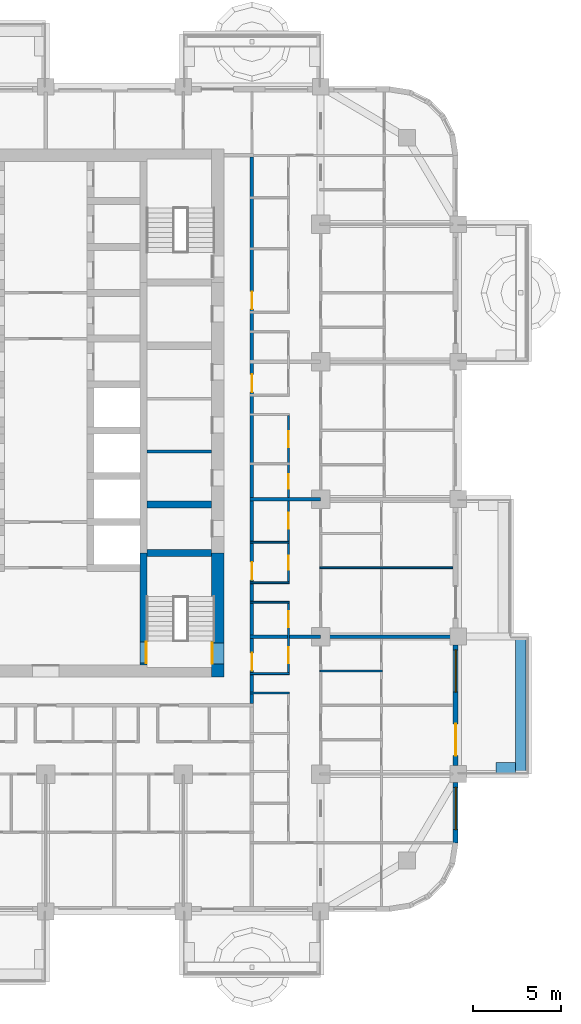
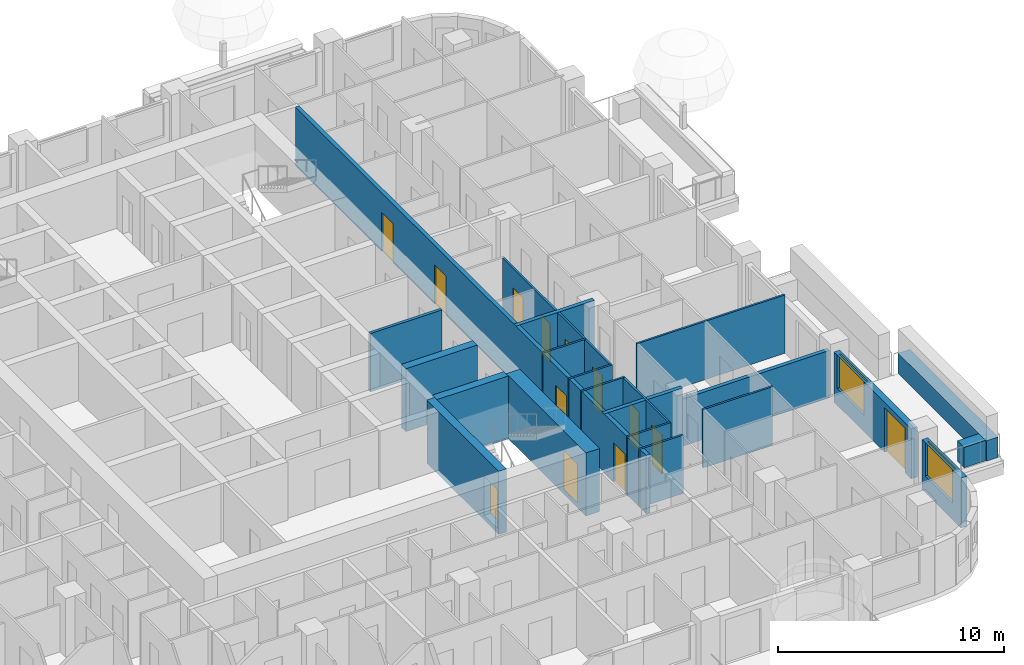
# One storey, part 8 of 19: 22 walls, 13 doors, 2 windows, 15 openings.
"""IFC4 building model written with IfcOpenShell, lengths in metres."""

from ifc_helpers import new_model, si_unit, direction, frame, frame_2d, origin, place, context, subcontext, project, spatial, rectangle, extrude, material, layer, layer_set, type_object, element, fill, save


model = new_model("IFC4")

# Units and contexts
model_context = context("Model", 3, precision=1e-05, world=origin(), true_north=direction((0.0, 1.0)))
body_context = subcontext(model_context, "Body", "Model", "MODEL_VIEW")
ifc_project = project(units=[si_unit("LENGTHUNIT", "METRE"), si_unit("AREAUNIT", "SQUARE_METRE"), si_unit("VOLUMEUNIT", "CUBIC_METRE"), si_unit("PLANEANGLEUNIT", "RADIAN"), si_unit("MASSUNIT", "GRAM", prefix="KILO")], contexts=[model_context])

# Site, building, storey
site_placement = place(None, origin())
site = spatial("IfcSite", under=ifc_project, at=site_placement, CompositionType="ELEMENT")
building_placement = place(site_placement, origin())
building = spatial("IfcBuilding", under=site, at=building_placement, Name="Ludao Terraces", CompositionType="ELEMENT")
storey_placement = place(building_placement, frame((0.0, 0.0, 68.199951171875)))
storey = spatial("IfcBuildingStorey", under=building, at=storey_placement, Name="L18", CompositionType="ELEMENT", Elevation=68.199951171875)

# Wall, opening, door
ifc_material_1 = material(Name="Concrete C70", Category="concrete")
ifc_layer_1 = layer(ifc_material_1, 0.699951171875)
ifc_layer_set_1 = layer_set([ifc_layer_1], Name="Core wall 700 C70")
wall_type_1 = type_object("IfcWallType", Name="Core wall 700 C70", PredefinedType="SOLIDWALL", material=ifc_layer_set_1)
wall_1_placement = place(storey_placement, frame((94.75, 54.89990234375, -0.25), z_axis=(0.0, 0.0, 1.0), x_axis=(0.0, 1.0, 0.0)))
wall_1 = element("IfcWall", 1, at=wall_1_placement, inside=storey, type_object=wall_type_1, Name="Core wall L18 outer-E-S3", PredefinedType="SOLIDWALL", context=body_context, shape_type="SweptSolid", body=[
    extrude(rectangle(XDim=7.050048828125, YDim=0.699951171875, at=frame_2d((3.52490234375, 0.0))), origin(), (0.0, 0.0, 1.0), 3.400146484375),
])
opening_1_placement = place(wall_1_placement, frame((0.75, 0.0, 0.25)))
opening_1 = element("IfcOpeningElement", 2, at=opening_1_placement, cuts=wall_1, Name="Opening R05-062", PredefinedType="OPENING", context=body_context, shape_type="SweptSolid", body=[
    extrude(rectangle(XDim=1.199951171875, YDim=2.10009765625, at=frame_2d((0.60009765625, 1.050048828125))), frame((0.0, 0.35986328125, 0.0), z_axis=(0.0, -1.0, 0.0), x_axis=(1.0, 0.0, 0.0)), (0.0, 0.0, 1.0), 0.719970703125),
])
ifc_material_2 = material(Name="Steel Q235", Category="steel")
door_type_1 = type_object("IfcDoorType", Name="INT Stair door 1200", OperationType="DOUBLE_DOOR_SINGLE_SWING", PredefinedType="DOOR", material=ifc_material_2)
door_1_placement = place(opening_1_placement, origin())
door_1 = element("IfcDoor", 3, at=door_1_placement, inside=storey, type_object=door_type_1, Name="DOOR 062", OperationType="DOUBLE_DOOR_SINGLE_SWING", OverallHeight=2.10009765625, OverallWidth=1.199951171875, PredefinedType="DOOR", context=body_context, shape_type="SweptSolid", body=[
    extrude(rectangle(XDim=1.199951171875, YDim=2.10009765625, at=frame_2d((0.60009765625, 1.050048828125))), frame((0.0, 0.3349609375, 0.0), z_axis=(0.0, -1.0, 0.0), x_axis=(1.0, 0.0, 0.0)), (0.0, 0.0, 1.0), 0.050048828125),
])
fill(opening_1, door_1)

# Walls
ifc_material_3 = material(Name="Concrete C40", Category="concrete")
ifc_layer_2 = layer(ifc_material_3, 0.60009765625)
ifc_layer_set_2 = layer_set([ifc_layer_2], Name="ENV Planter trough 600")
wall_type_2 = type_object("IfcWallType", Name="ENV Planter trough 600", PredefinedType="USERDEFINED", material=ifc_layer_set_2)
wall_2_placement = place(storey_placement, frame((111.949951171875, 49.39990234375, 0.0), z_axis=(0.0, 0.0, 1.0), x_axis=(0.0, 1.0, 0.0)))
element("IfcWall", 4, at=wall_2_placement, inside=storey, type_object=wall_type_2, Name="PL-L18-E1", ObjectType="PLANTER", PredefinedType="USERDEFINED", context=body_context, shape_type="SweptSolid", body=[
    extrude(rectangle(XDim=7.800048828125, YDim=0.60009765625, at=frame_2d((3.89990234375, 0.0))), origin(), (0.0, 0.0, 1.0), 1.10009765625),
])
wall_3_placement = place(storey_placement, frame((111.64990234375, 49.75, 0.0), z_axis=(0.0, 0.0, 1.0), x_axis=(-1.0, 0.0, 0.0)))
element("IfcWall", 5, at=wall_3_placement, inside=storey, type_object=wall_type_2, Name="PL-L18-E1-SA", ObjectType="PLANTER", PredefinedType="USERDEFINED", context=body_context, shape_type="SweptSolid", body=[
    extrude(rectangle(XDim=1.099853515625, YDim=0.60009765625, at=frame_2d((0.5498046875, 0.0))), origin(), (0.0, 0.0, 1.0), 1.10009765625),
])

# Wall, opening, window
ifc_material_4 = material(Name="Granite cladding", Category="masonry")
ifc_layer_3 = layer(ifc_material_4, 0.0400390625, Category="stone")
ifc_material_5 = material(Name="Mineral wool")
ifc_layer_4 = layer(ifc_material_5, 0.06005859375)
ifc_layer_5 = layer(ifc_material_3, 0.199951171875, Category="concrete")
ifc_layer_set_3 = layer_set([ifc_layer_3, ifc_layer_4, ifc_layer_5], Name="ENV Stone-clad wall 300")
wall_type_3 = type_object("IfcWallType", Name="ENV Stone-clad wall 300", PredefinedType="SOLIDWALL", material=ifc_layer_set_3)
wall_4_placement = place(storey_placement, frame((108.25, 45.5, 0.0), z_axis=(0.0, 0.0, 1.0), x_axis=(0.0, 1.0, 0.0)))
wall_4 = element("IfcWall", 6, at=wall_4_placement, inside=storey, type_object=wall_type_3, Name="EW-L18-E1", PredefinedType="SOLIDWALL", context=body_context, shape_type="SweptSolid", body=[
    extrude(rectangle(XDim=3.425048828125, YDim=0.300048828125, at=frame_2d((1.71240234375, 0.0))), origin(), (0.0, 0.0, 1.0), 2.699951171875),
])
opening_2_placement = place(wall_4_placement, frame((0.75, 0.0, 0.89990234375)))
opening_2 = element("IfcOpeningElement", 7, at=opening_2_placement, cuts=wall_4, Name="Opening W1", PredefinedType="OPENING", context=body_context, shape_type="SweptSolid", body=[
    extrude(rectangle(XDim=2.39990234375, YDim=1.800048828125, at=frame_2d((1.199951171875, 0.89990234375))), frame((0.0, 0.16015625, 0.0), z_axis=(0.0, -1.0, 0.0), x_axis=(1.0, 0.0, 0.0)), (0.0, 0.0, 1.0), 0.320068359375),
])
ifc_material_6 = material(Name="Clear glass in aluminium frame", Category="aluminium")
ifc_layer_6 = layer(ifc_material_6, 0.06005859375)
ifc_layer_set_4 = layer_set([ifc_layer_6], Name="ENV Window W1 2400x1800")
window_type = type_object("IfcWindowType", Name="ENV Window W1 2400x1800", PartitioningType="DOUBLE_PANEL_VERTICAL", PredefinedType="WINDOW", material=ifc_layer_set_4)
window_1_placement = place(opening_2_placement, origin())
window_1 = element("IfcWindow", 8, at=window_1_placement, inside=storey, type_object=window_type, Name="W-L18-E1-1", OverallHeight=1.800048828125, OverallWidth=2.39990234375, PartitioningType="DOUBLE_PANEL_VERTICAL", PredefinedType="WINDOW", context=body_context, shape_type="SweptSolid", body=[
    extrude(rectangle(XDim=2.39990234375, YDim=1.800048828125, at=frame_2d((1.199951171875, 0.89990234375))), frame((0.0, 0.030029296875, 0.0), z_axis=(0.0, -1.0, 0.0), x_axis=(1.0, 0.0, 0.0)), (0.0, 0.0, 1.0), 0.06005859375),
])
fill(opening_2, window_1)

# Wall, openings, door, window
wall_5_placement = place(storey_placement, frame((108.25, 49.875, 0.0), z_axis=(0.0, 0.0, 1.0), x_axis=(0.0, 1.0, 0.0)))
wall_5 = element("IfcWall", 9, at=wall_5_placement, inside=storey, type_object=wall_type_3, Name="EW-L18-E2", PredefinedType="SOLIDWALL", context=body_context, shape_type="SweptSolid", body=[
    extrude(rectangle(XDim=6.85009765625, YDim=0.300048828125, at=frame_2d((3.425048828125, 0.0))), origin(), (0.0, 0.0, 1.0), 2.699951171875),
])
opening_3_placement = place(wall_5_placement, frame((0.574951171875, 0.0, 0.0)))
opening_3 = element("IfcOpeningElement", 10, at=opening_3_placement, cuts=wall_5, Name="Opening BD", PredefinedType="OPENING", context=body_context, shape_type="SweptSolid", body=[
    extrude(rectangle(XDim=1.800048828125, YDim=2.39990234375, at=frame_2d((0.89990234375, 1.199951171875))), frame((0.0, 0.16015625, 0.0), z_axis=(0.0, -1.0, 0.0), x_axis=(1.0, 0.0, 0.0)), (0.0, 0.0, 1.0), 0.320068359375),
])
opening_4_placement = place(wall_5_placement, frame((4.175048828125, 0.0, 0.89990234375)))
opening_4 = element("IfcOpeningElement", 11, at=opening_4_placement, cuts=wall_5, Name="Opening W1", PredefinedType="OPENING", context=body_context, shape_type="SweptSolid", body=[
    extrude(rectangle(XDim=2.39990234375, YDim=1.800048828125, at=frame_2d((1.199951171875, 0.89990234375))), frame((0.0, 0.16015625, 0.0), z_axis=(0.0, -1.0, 0.0), x_axis=(1.0, 0.0, 0.0)), (0.0, 0.0, 1.0), 0.320068359375),
])
ifc_material_7 = material(Name="Aluminium glazed door", Category="aluminium")
ifc_layer_7 = layer(ifc_material_7, 0.06005859375)
ifc_layer_set_5 = layer_set([ifc_layer_7], Name="ENV Balcony door BD 1800x2400")
door_type_2 = type_object("IfcDoorType", Name="ENV Balcony door BD 1800x2400", OperationType="DOUBLE_DOOR_SINGLE_SWING", PredefinedType="DOOR", material=ifc_layer_set_5)
door_2_placement = place(opening_3_placement, origin())
door_2 = element("IfcDoor", 12, at=door_2_placement, inside=storey, type_object=door_type_2, Name="BD-L18-E2-1", OperationType="DOUBLE_DOOR_SINGLE_SWING", OverallHeight=2.39990234375, OverallWidth=1.800048828125, PredefinedType="DOOR", context=body_context, shape_type="SweptSolid", body=[
    extrude(rectangle(XDim=1.800048828125, YDim=2.39990234375, at=frame_2d((0.89990234375, 1.199951171875))), frame((0.0, 0.02490234375, 0.0), z_axis=(0.0, -1.0, 0.0), x_axis=(1.0, 0.0, 0.0)), (0.0, 0.0, 1.0), 0.050048828125),
])
fill(opening_3, door_2)
window_2_placement = place(opening_4_placement, origin())
window_2 = element("IfcWindow", 13, at=window_2_placement, inside=storey, type_object=window_type, Name="W-L18-E2-2", OverallHeight=1.800048828125, OverallWidth=2.39990234375, PartitioningType="DOUBLE_PANEL_VERTICAL", PredefinedType="WINDOW", context=body_context, shape_type="SweptSolid", body=[
    extrude(rectangle(XDim=2.39990234375, YDim=1.800048828125, at=frame_2d((1.199951171875, 0.89990234375))), frame((0.0, 0.030029296875, 0.0), z_axis=(0.0, -1.0, 0.0), x_axis=(1.0, 0.0, 0.0)), (0.0, 0.0, 1.0), 0.06005859375),
])
fill(opening_4, window_2)

# Wall
ifc_material_8 = material(Name="Fire-rated gypsum plasterboard", Category="gypsum")
ifc_layer_8 = layer(ifc_material_8, 0.012451171875, Category="gypsum")
ifc_layer_9 = layer(ifc_material_5, 0.10009765625, Name="insulation")
ifc_layer_10 = layer(ifc_material_2, 0.02490234375, Name="stud")
ifc_layer_11 = layer(ifc_material_8, 0.012451171875, Category="gypsum")
ifc_layer_set_6 = layer_set([ifc_layer_8, ifc_layer_9, ifc_layer_10, ifc_layer_11], Name="INT Core partition 150")
wall_type_4 = type_object("IfcWallType", Name="INT Core partition 150", PredefinedType="PARTITIONING", material=ifc_layer_set_6)
wall_6_placement = place(storey_placement, frame((90.75, 67.699951171875, 0.0), z_axis=(0.0, 0.0, 1.0), x_axis=(1.0, 0.0, 0.0)))
element("IfcWall", 14, at=wall_6_placement, inside=storey, type_object=wall_type_4, Name="PW-L18-PW048", PredefinedType="PARTITIONING", context=body_context, shape_type="SweptSolid", body=[
    extrude(rectangle(XDim=3.650146484375, YDim=0.14990234375, at=frame_2d((1.8251953125, 0.0))), origin(), (0.0, 0.0, 1.0), 3.150146484375),
])

# Wall, openings, doors
ifc_material_9 = material(Name="Autoclaved aerated concrete block B06 A3.5", Category="concrete")
ifc_layer_12 = layer(ifc_material_9, 0.199951171875)
ifc_layer_set_7 = layer_set([ifc_layer_12], Name="INT Entrance wall 200")
wall_type_5 = type_object("IfcWallType", Name="INT Entrance wall 200", PredefinedType="PARTITIONING", material=ifc_layer_set_7)
wall_7_placement = place(storey_placement, frame((96.699951171875, 53.400146484375, 0.0), z_axis=(0.0, 0.0, 1.0), x_axis=(0.0, 1.0, 0.0)))
wall_7 = element("IfcWall", 15, at=wall_7_placement, inside=storey, type_object=wall_type_5, Name="PW-L18-PW118", PredefinedType="PARTITIONING", context=body_context, shape_type="SweptSolid", body=[
    extrude(rectangle(XDim=31.0, YDim=0.199951171875, at=frame_2d((15.5, 0.0))), origin(), (0.0, 0.0, 1.0), 3.150146484375),
])
opening_5_placement = place(wall_7_placement, frame((1.875, 0.0, 0.0)))
opening_5 = element("IfcOpeningElement", 16, at=opening_5_placement, cuts=wall_7, Name="Opening R05-055", PredefinedType="OPENING", context=body_context, shape_type="SweptSolid", body=[
    extrude(rectangle(XDim=1.0, YDim=2.10009765625, at=frame_2d((0.5, 1.050048828125))), frame((0.0, 0.10986328125, 0.0), z_axis=(0.0, -1.0, 0.0), x_axis=(1.0, 0.0, 0.0)), (0.0, 0.0, 1.0), 0.219970703125),
])
opening_6_placement = place(wall_7_placement, frame((7.02490234375, 0.0, 0.0)))
opening_6 = element("IfcOpeningElement", 17, at=opening_6_placement, cuts=wall_7, Name="Opening R05-072", PredefinedType="OPENING", context=body_context, shape_type="SweptSolid", body=[
    extrude(rectangle(XDim=1.0, YDim=2.10009765625, at=frame_2d((0.5, 1.050048828125))), frame((0.0, 0.10986328125, 0.0), z_axis=(0.0, -1.0, 0.0), x_axis=(1.0, 0.0, 0.0)), (0.0, 0.0, 1.0), 0.219970703125),
])
opening_7_placement = place(wall_7_placement, frame((17.675048828125, 0.0, 0.0)))
opening_7 = element("IfcOpeningElement", 18, at=opening_7_placement, cuts=wall_7, Name="Opening R05-108", PredefinedType="OPENING", context=body_context, shape_type="SweptSolid", body=[
    extrude(rectangle(XDim=1.0, YDim=2.10009765625, at=frame_2d((0.5, 1.050048828125))), frame((0.0, 0.10986328125, 0.0), z_axis=(0.0, -1.0, 0.0), x_axis=(1.0, 0.0, 0.0)), (0.0, 0.0, 1.0), 0.219970703125),
])
opening_8_placement = place(wall_7_placement, frame((22.375, 0.0, 0.0)))
opening_8 = element("IfcOpeningElement", 19, at=opening_8_placement, cuts=wall_7, Name="Opening R05-129", PredefinedType="OPENING", context=body_context, shape_type="SweptSolid", body=[
    extrude(rectangle(XDim=1.0, YDim=2.10009765625, at=frame_2d((0.5, 1.050048828125))), frame((0.0, 0.10986328125, 0.0), z_axis=(0.0, -1.0, 0.0), x_axis=(1.0, 0.0, 0.0)), (0.0, 0.0, 1.0), 0.219970703125),
])
door_type_3 = type_object("IfcDoorType", Name="INT Flat entrance door 1000", OperationType="SINGLE_SWING_LEFT", PredefinedType="DOOR", material=ifc_material_2)
door_3_placement = place(opening_5_placement, origin())
door_3 = element("IfcDoor", 20, at=door_3_placement, inside=storey, type_object=door_type_3, Name="DOOR 055", OperationType="SINGLE_SWING_LEFT", OverallHeight=2.10009765625, OverallWidth=1.0, PredefinedType="DOOR", context=body_context, shape_type="SweptSolid", body=[
    extrude(rectangle(XDim=1.0, YDim=2.10009765625, at=frame_2d((0.5, 1.050048828125))), frame((0.0, 0.02490234375, 0.0), z_axis=(0.0, -1.0, 0.0), x_axis=(1.0, 0.0, 0.0)), (0.0, 0.0, 1.0), 0.050048828125),
])
fill(opening_5, door_3)
door_4_placement = place(opening_6_placement, origin())
door_4 = element("IfcDoor", 21, at=door_4_placement, inside=storey, type_object=door_type_3, Name="DOOR 072", OperationType="SINGLE_SWING_LEFT", OverallHeight=2.10009765625, OverallWidth=1.0, PredefinedType="DOOR", context=body_context, shape_type="SweptSolid", body=[
    extrude(rectangle(XDim=1.0, YDim=2.10009765625, at=frame_2d((0.5, 1.050048828125))), frame((0.0, 0.02490234375, 0.0), z_axis=(0.0, -1.0, 0.0), x_axis=(1.0, 0.0, 0.0)), (0.0, 0.0, 1.0), 0.050048828125),
])
fill(opening_6, door_4)
door_5_placement = place(opening_7_placement, origin())
door_5 = element("IfcDoor", 22, at=door_5_placement, inside=storey, type_object=door_type_3, Name="DOOR 108", OperationType="SINGLE_SWING_LEFT", OverallHeight=2.10009765625, OverallWidth=1.0, PredefinedType="DOOR", context=body_context, shape_type="SweptSolid", body=[
    extrude(rectangle(XDim=1.0, YDim=2.10009765625, at=frame_2d((0.5, 1.050048828125))), frame((0.0, 0.02490234375, 0.0), z_axis=(0.0, -1.0, 0.0), x_axis=(1.0, 0.0, 0.0)), (0.0, 0.0, 1.0), 0.050048828125),
])
fill(opening_7, door_5)
door_6_placement = place(opening_8_placement, origin())
door_6 = element("IfcDoor", 23, at=door_6_placement, inside=storey, type_object=door_type_3, Name="DOOR 129", OperationType="SINGLE_SWING_LEFT", OverallHeight=2.10009765625, OverallWidth=1.0, PredefinedType="DOOR", context=body_context, shape_type="SweptSolid", body=[
    extrude(rectangle(XDim=1.0, YDim=2.10009765625, at=frame_2d((0.5, 1.050048828125))), frame((0.0, 0.02490234375, 0.0), z_axis=(0.0, -1.0, 0.0), x_axis=(1.0, 0.0, 0.0)), (0.0, 0.0, 1.0), 0.050048828125),
])
fill(opening_8, door_6)

# Walls
ifc_material_10 = material(Name="Gypsum plasterboard", Category="gypsum")
ifc_layer_13 = layer(ifc_material_10, 0.012451171875, Category="gypsum")
ifc_layer_14 = layer(ifc_material_5, 0.06005859375, Name="insulation")
ifc_layer_15 = layer(ifc_material_2, 0.014892578125, Name="stud")
ifc_layer_16 = layer(ifc_material_10, 0.012451171875, Category="gypsum")
ifc_layer_set_8 = layer_set([ifc_layer_13, ifc_layer_14, ifc_layer_15, ifc_layer_16], Name="INT Partition 100")
wall_type_6 = type_object("IfcWallType", Name="INT Partition 100", PredefinedType="PARTITIONING", material=ifc_layer_set_8)
for number, where, z_axis, x_axis, name in (
    (24, (96.60009765625, 54.0, 0.0), (0.0, 0.0, 1.0), (1.0, 0.0, 0.0), "PW-L18-PW021"),
    (25, (96.60009765625, 55.10009765625, 0.0), (0.0, 0.0, 1.0), (1.0, 0.0, 0.0), "PW-L18-PW023"),
):
    element("IfcWall", number, at=place(storey_placement, frame(where, z_axis=z_axis, x_axis=x_axis)), inside=storey, type_object=wall_type_6, Name=name, PredefinedType="PARTITIONING", context=body_context, shape_type="SweptSolid", body=[
        extrude(rectangle(XDim=2.219970703125, YDim=0.10009765625, at=frame_2d((1.10986328125, 0.0))), origin(), (0.0, 0.0, 1.0), 3.150146484375),
    ])
wall_8_placement = place(storey_placement, frame((100.550048828125, 55.25, 0.0), z_axis=(0.0, 0.0, 1.0), x_axis=(1.0, 0.0, 0.0)))
element("IfcWall", 26, at=wall_8_placement, inside=storey, type_object=wall_type_6, Name="PW-L18-PW025", PredefinedType="PARTITIONING", context=body_context, shape_type="SweptSolid", body=[
    extrude(rectangle(XDim=3.550048828125, YDim=0.10009765625, at=frame_2d((1.77490234375, 0.0))), origin(), (0.0, 0.0, 1.0), 3.150146484375),
])
for number, where, z_axis, x_axis, name in (
    (27, (96.60009765625, 59.14990234375, 0.0), (0.0, 0.0, 1.0), (1.0, 0.0, 0.0), "PW-L18-PW031"),
    (28, (96.60009765625, 60.25, 0.0), (0.0, 0.0, 1.0), (1.0, 0.0, 0.0), "PW-L18-PW032"),
):
    element("IfcWall", number, at=place(storey_placement, frame(where, z_axis=z_axis, x_axis=x_axis)), inside=storey, type_object=wall_type_6, Name=name, PredefinedType="PARTITIONING", context=body_context, shape_type="SweptSolid", body=[
        extrude(rectangle(XDim=2.219970703125, YDim=0.10009765625, at=frame_2d((1.10986328125, 0.0))), origin(), (0.0, 0.0, 1.0), 3.150146484375),
    ])
wall_9_placement = place(storey_placement, frame((100.550048828125, 61.10009765625, 0.0), z_axis=(0.0, 0.0, 1.0), x_axis=(1.0, 0.0, 0.0)))
element("IfcWall", 29, at=wall_9_placement, inside=storey, type_object=wall_type_6, Name="PW-L18-PW035", PredefinedType="PARTITIONING", context=body_context, shape_type="SweptSolid", body=[
    extrude(rectangle(XDim=7.550048828125, YDim=0.10009765625, at=frame_2d((3.77490234375, 0.0))), origin(), (0.0, 0.0, 1.0), 3.150146484375),
])
wall_10_placement = place(storey_placement, frame((96.60009765625, 62.550048828125, 0.0), z_axis=(0.0, 0.0, 1.0), x_axis=(1.0, 0.0, 0.0)))
element("IfcWall", 30, at=wall_10_placement, inside=storey, type_object=wall_type_6, Name="PW-L18-PW036", PredefinedType="PARTITIONING", context=body_context, shape_type="SweptSolid", body=[
    extrude(rectangle(XDim=2.219970703125, YDim=0.10009765625, at=frame_2d((1.10986328125, 0.0))), origin(), (0.0, 0.0, 1.0), 3.150146484375),
])

# Wall, openings, doors
wall_11_placement = place(storey_placement, frame((98.77001953125, 55.150146484375, 0.0), z_axis=(0.0, 0.0, 1.0), x_axis=(0.0, 1.0, 0.0)))
wall_11 = element("IfcWall", 31, at=wall_11_placement, inside=storey, type_object=wall_type_6, Name="PW-L18-PW121", PredefinedType="PARTITIONING", context=body_context, shape_type="SweptSolid", body=[
    extrude(rectangle(XDim=3.949951171875, YDim=0.10009765625, at=frame_2d((1.97509765625, 0.0))), origin(), (0.0, 0.0, 1.0), 3.150146484375),
])
opening_9_placement = place(wall_11_placement, frame((0.550048828125, 0.0, 0.0)))
opening_9 = element("IfcOpeningElement", 32, at=opening_9_placement, cuts=wall_11, Name="Opening R05-059", PredefinedType="OPENING", context=body_context, shape_type="SweptSolid", body=[
    extrude(rectangle(XDim=0.89990234375, YDim=2.10009765625, at=frame_2d((0.449951171875, 1.050048828125))), frame((0.0, 0.06005859375, 0.0), z_axis=(0.0, -1.0, 0.0), x_axis=(1.0, 0.0, 0.0)), (0.0, 0.0, 1.0), 0.1201171875),
])
opening_10_placement = place(wall_11_placement, frame((2.574951171875, 0.0, 0.0)))
opening_10 = element("IfcOpeningElement", 33, at=opening_10_placement, cuts=wall_11, Name="Opening R05-066", PredefinedType="OPENING", context=body_context, shape_type="SweptSolid", body=[
    extrude(rectangle(XDim=0.89990234375, YDim=2.10009765625, at=frame_2d((0.449951171875, 1.050048828125))), frame((0.0, 0.06005859375, 0.0), z_axis=(0.0, -1.0, 0.0), x_axis=(1.0, 0.0, 0.0)), (0.0, 0.0, 1.0), 0.1201171875),
])
ifc_material_11 = material(Name="Timber door leaf", Category="wood")
door_type_4 = type_object("IfcDoorType", Name="INT Room door 900", OperationType="SINGLE_SWING_LEFT", PredefinedType="DOOR", material=ifc_material_11)
door_7_placement = place(opening_9_placement, origin())
door_7 = element("IfcDoor", 34, at=door_7_placement, inside=storey, type_object=door_type_4, Name="DOOR 059", OperationType="SINGLE_SWING_LEFT", OverallHeight=2.10009765625, OverallWidth=0.89990234375, PredefinedType="DOOR", context=body_context, shape_type="SweptSolid", body=[
    extrude(rectangle(XDim=0.89990234375, YDim=2.10009765625, at=frame_2d((0.449951171875, 1.050048828125))), frame((0.0, 0.02490234375, 0.0), z_axis=(0.0, -1.0, 0.0), x_axis=(1.0, 0.0, 0.0)), (0.0, 0.0, 1.0), 0.050048828125),
])
fill(opening_9, door_7)
door_8_placement = place(opening_10_placement, origin())
door_8 = element("IfcDoor", 35, at=door_8_placement, inside=storey, type_object=door_type_4, Name="DOOR 066", OperationType="SINGLE_SWING_LEFT", OverallHeight=2.10009765625, OverallWidth=0.89990234375, PredefinedType="DOOR", context=body_context, shape_type="SweptSolid", body=[
    extrude(rectangle(XDim=0.89990234375, YDim=2.10009765625, at=frame_2d((0.449951171875, 1.050048828125))), frame((0.0, 0.02490234375, 0.0), z_axis=(0.0, -1.0, 0.0), x_axis=(1.0, 0.0, 0.0)), (0.0, 0.0, 1.0), 0.050048828125),
])
fill(opening_10, door_8)

wall_12_placement = place(storey_placement, frame((98.77001953125, 60.300048828125, 0.0), z_axis=(0.0, 0.0, 1.0), x_axis=(0.0, 1.0, 0.0)))
wall_12 = element("IfcWall", 36, at=wall_12_placement, inside=storey, type_object=wall_type_6, Name="PW-L18-PW122", PredefinedType="PARTITIONING", context=body_context, shape_type="SweptSolid", body=[
    extrude(rectangle(XDim=9.449951171875, YDim=0.10009765625, at=frame_2d((4.72509765625, 0.0))), origin(), (0.0, 0.0, 1.0), 3.150146484375),
])
opening_11_placement = place(wall_12_placement, frame((0.699951171875, 0.0, 0.0)))
opening_11 = element("IfcOpeningElement", 37, at=opening_11_placement, cuts=wall_12, Name="Opening R05-074", PredefinedType="OPENING", context=body_context, shape_type="SweptSolid", body=[
    extrude(rectangle(XDim=0.800048828125, YDim=2.10009765625, at=frame_2d((0.39990234375, 1.050048828125))), frame((0.0, 0.06005859375, 0.0), z_axis=(0.0, -1.0, 0.0), x_axis=(1.0, 0.0, 0.0)), (0.0, 0.0, 1.0), 0.1201171875),
])
opening_12_placement = place(wall_12_placement, frame((3.02490234375, 0.0, 0.0)))
opening_12 = element("IfcOpeningElement", 38, at=opening_12_placement, cuts=wall_12, Name="Opening R05-082", PredefinedType="OPENING", context=body_context, shape_type="SweptSolid", body=[
    extrude(rectangle(XDim=0.89990234375, YDim=2.10009765625, at=frame_2d((0.449951171875, 1.050048828125))), frame((0.0, 0.06005859375, 0.0), z_axis=(0.0, -1.0, 0.0), x_axis=(1.0, 0.0, 0.0)), (0.0, 0.0, 1.0), 0.1201171875),
])
opening_13_placement = place(wall_12_placement, frame((5.300048828125, 0.0, 0.0)))
opening_13 = element("IfcOpeningElement", 39, at=opening_13_placement, cuts=wall_12, Name="Opening R05-091", PredefinedType="OPENING", context=body_context, shape_type="SweptSolid", body=[
    extrude(rectangle(XDim=0.800048828125, YDim=2.10009765625, at=frame_2d((0.39990234375, 1.050048828125))), frame((0.0, 0.06005859375, 0.0), z_axis=(0.0, -1.0, 0.0), x_axis=(1.0, 0.0, 0.0)), (0.0, 0.0, 1.0), 0.1201171875),
])
opening_14_placement = place(wall_12_placement, frame((7.64990234375, 0.0, 0.0)))
opening_14 = element("IfcOpeningElement", 40, at=opening_14_placement, cuts=wall_12, Name="Opening R05-100", PredefinedType="OPENING", context=body_context, shape_type="SweptSolid", body=[
    extrude(rectangle(XDim=0.89990234375, YDim=2.10009765625, at=frame_2d((0.449951171875, 1.050048828125))), frame((0.0, 0.06005859375, 0.0), z_axis=(0.0, -1.0, 0.0), x_axis=(1.0, 0.0, 0.0)), (0.0, 0.0, 1.0), 0.1201171875),
])
door_type_5 = type_object("IfcDoorType", Name="INT Bathroom door 900", OperationType="SINGLE_SWING_LEFT", PredefinedType="DOOR", material=ifc_material_11)
door_9_placement = place(opening_12_placement, origin())
door_9 = element("IfcDoor", 41, at=door_9_placement, inside=storey, type_object=door_type_5, Name="DOOR 082", OperationType="SINGLE_SWING_RIGHT", OverallHeight=2.10009765625, OverallWidth=0.89990234375, PredefinedType="DOOR", context=body_context, shape_type="SweptSolid", body=[
    extrude(rectangle(XDim=0.89990234375, YDim=2.10009765625, at=frame_2d((0.449951171875, 1.050048828125))), frame((0.0, 0.02490234375, 0.0), z_axis=(0.0, -1.0, 0.0), x_axis=(1.0, 0.0, 0.0)), (0.0, 0.0, 1.0), 0.050048828125),
])
fill(opening_12, door_9)
door_10_placement = place(opening_14_placement, origin())
door_10 = element("IfcDoor", 42, at=door_10_placement, inside=storey, type_object=door_type_4, Name="DOOR 100", OperationType="SINGLE_SWING_RIGHT", OverallHeight=2.10009765625, OverallWidth=0.89990234375, PredefinedType="DOOR", context=body_context, shape_type="SweptSolid", body=[
    extrude(rectangle(XDim=0.89990234375, YDim=2.10009765625, at=frame_2d((0.449951171875, 1.050048828125))), frame((0.0, 0.02490234375, 0.0), z_axis=(0.0, -1.0, 0.0), x_axis=(1.0, 0.0, 0.0)), (0.0, 0.0, 1.0), 0.050048828125),
])
fill(opening_14, door_10)
door_type_6 = type_object("IfcDoorType", Name="INT Store door 800", OperationType="SINGLE_SWING_LEFT", PredefinedType="DOOR", material=ifc_material_11)
door_11_placement = place(opening_11_placement, origin())
door_11 = element("IfcDoor", 43, at=door_11_placement, inside=storey, type_object=door_type_6, Name="DOOR 074", OperationType="SINGLE_SWING_LEFT", OverallHeight=2.10009765625, OverallWidth=0.800048828125, PredefinedType="DOOR", context=body_context, shape_type="SweptSolid", body=[
    extrude(rectangle(XDim=0.800048828125, YDim=2.10009765625, at=frame_2d((0.39990234375, 1.050048828125))), frame((0.0, 0.02490234375, 0.0), z_axis=(0.0, -1.0, 0.0), x_axis=(1.0, 0.0, 0.0)), (0.0, 0.0, 1.0), 0.050048828125),
])
fill(opening_11, door_11)
door_12_placement = place(opening_13_placement, origin())
door_12 = element("IfcDoor", 44, at=door_12_placement, inside=storey, type_object=door_type_6, Name="DOOR 091", OperationType="SINGLE_SWING_LEFT", OverallHeight=2.10009765625, OverallWidth=0.800048828125, PredefinedType="DOOR", context=body_context, shape_type="SweptSolid", body=[
    extrude(rectangle(XDim=0.800048828125, YDim=2.10009765625, at=frame_2d((0.39990234375, 1.050048828125))), frame((0.0, 0.02490234375, 0.0), z_axis=(0.0, -1.0, 0.0), x_axis=(1.0, 0.0, 0.0)), (0.0, 0.0, 1.0), 0.050048828125),
])
fill(opening_13, door_12)

# Walls
ifc_layer_17 = layer(ifc_material_9, 0.199951171875)
ifc_layer_set_9 = layer_set([ifc_layer_17], Name="INT Party wall 200")
wall_type_7 = type_object("IfcWallType", Name="INT Party wall 200", PredefinedType="PARTITIONING", material=ifc_layer_set_9)
wall_13_placement = place(storey_placement, frame((96.60009765625, 57.199951171875, 0.0), z_axis=(0.0, 0.0, 1.0), x_axis=(1.0, 0.0, 0.0)))
element("IfcWall", 45, at=wall_13_placement, inside=storey, type_object=wall_type_7, Name="PW-L18-PW028", PredefinedType="PARTITIONING", context=body_context, shape_type="SweptSolid", body=[
    extrude(rectangle(XDim=4.0, YDim=0.199951171875, at=frame_2d((2.0, 0.0))), origin(), (0.0, 0.0, 1.0), 3.150146484375),
])
wall_14_placement = place(storey_placement, frame((100.60009765625, 57.199951171875, 0.0), z_axis=(0.0, 0.0, 1.0), x_axis=(1.0, 0.0, 0.0)))
element("IfcWall", 46, at=wall_14_placement, inside=storey, type_object=wall_type_7, Name="PW-L18-PW028-2", PredefinedType="PARTITIONING", context=body_context, shape_type="SweptSolid", body=[
    extrude(rectangle(XDim=7.5, YDim=0.199951171875, at=frame_2d((3.75, 0.0))), origin(), (0.0, 0.0, 1.0), 2.550048828125),
])
wall_15_placement = place(storey_placement, frame((96.60009765625, 65.0, 0.0), z_axis=(0.0, 0.0, 1.0), x_axis=(1.0, 0.0, 0.0)))
element("IfcWall", 47, at=wall_15_placement, inside=storey, type_object=wall_type_7, Name="PW-L18-PW043", PredefinedType="PARTITIONING", context=body_context, shape_type="SweptSolid", body=[
    extrude(rectangle(XDim=4.0, YDim=0.199951171875, at=frame_2d((2.0, 0.0))), origin(), (0.0, 0.0, 1.0), 3.150146484375),
])

# Wall, opening, door
ifc_material_12 = material(Name="Concrete C60", Category="concrete")
ifc_layer_18 = layer(ifc_material_12, 0.39990234375)
ifc_layer_set_10 = layer_set([ifc_layer_18], Name="Shaft wall 400 C60")
wall_type_8 = type_object("IfcWallType", Name="Shaft wall 400 C60", PredefinedType="SOLIDWALL", material=ifc_layer_set_10)
wall_16_placement = place(storey_placement, frame((90.550048828125, 55.60009765625, -0.25), z_axis=(0.0, 0.0, 1.0), x_axis=(0.0, 1.0, 0.0)))
wall_16 = element("IfcWall", 48, at=wall_16_placement, inside=storey, type_object=wall_type_8, Name="Core wall L18 back-E-S3", PredefinedType="SOLIDWALL", context=body_context, shape_type="SweptSolid", body=[
    extrude(rectangle(XDim=6.349853515625, YDim=0.39990234375, at=frame_2d((3.1748046875, 0.0))), origin(), (0.0, 0.0, 1.0), 3.400146484375),
])
opening_15_placement = place(wall_16_placement, frame((0.10009765625, 0.0, 0.25)))
opening_15 = element("IfcOpeningElement", 49, at=opening_15_placement, cuts=wall_16, Name="Opening R05-061", PredefinedType="OPENING", context=body_context, shape_type="SweptSolid", body=[
    extrude(rectangle(XDim=1.199951171875, YDim=2.10009765625, at=frame_2d((0.60009765625, 1.050048828125))), frame((0.0, 0.2099609375, 0.0), z_axis=(0.0, -1.0, 0.0), x_axis=(1.0, 0.0, 0.0)), (0.0, 0.0, 1.0), 0.419921875),
])
door_13_placement = place(opening_15_placement, origin())
door_13 = element("IfcDoor", 50, at=door_13_placement, inside=storey, type_object=door_type_1, Name="DOOR 061", OperationType="DOUBLE_DOOR_SINGLE_SWING", OverallHeight=2.10009765625, OverallWidth=1.199951171875, PredefinedType="DOOR", context=body_context, shape_type="SweptSolid", body=[
    extrude(rectangle(XDim=1.199951171875, YDim=2.10009765625, at=frame_2d((0.60009765625, 1.050048828125))), frame((0.0, -0.134765625, 0.0), z_axis=(0.0, -1.0, 0.0), x_axis=(1.0, 0.0, 0.0)), (0.0, 0.0, 1.0), 0.050048828125),
])
fill(opening_15, door_13)

# Walls
for number, where, z_axis, x_axis, name in (
    (51, (90.75, 61.949951171875, -0.25), (0.0, 0.0, 1.0), (1.0, 0.0, 0.0), "Core wall L18 hall-E"),
    (52, (90.75, 64.699951171875, -0.25), (0.0, 0.0, 1.0), (1.0, 0.0, 0.0), "Core wall L18 riser-a-E"),
):
    element("IfcWall", number, at=place(storey_placement, frame(where, z_axis=z_axis, x_axis=x_axis)), inside=storey, type_object=wall_type_8, Name=name, PredefinedType="SOLIDWALL", context=body_context, shape_type="SweptSolid", body=[
        extrude(rectangle(XDim=3.64990234375, YDim=0.39990234375, at=frame_2d((1.824951171875, 0.0))), origin(), (0.0, 0.0, 1.0), 3.400146484375),
    ])

save(model, "model.ifc")
